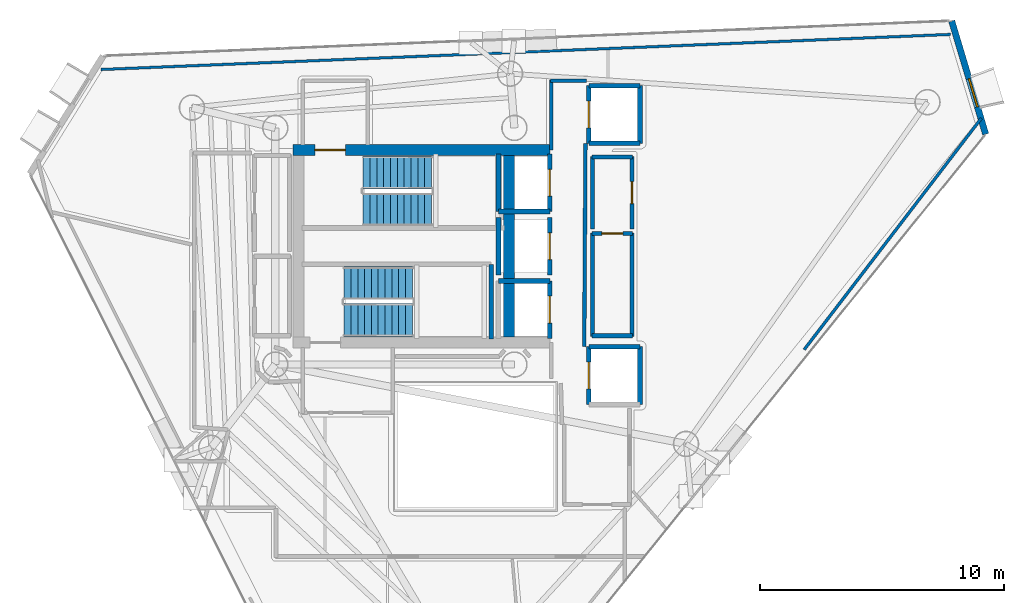
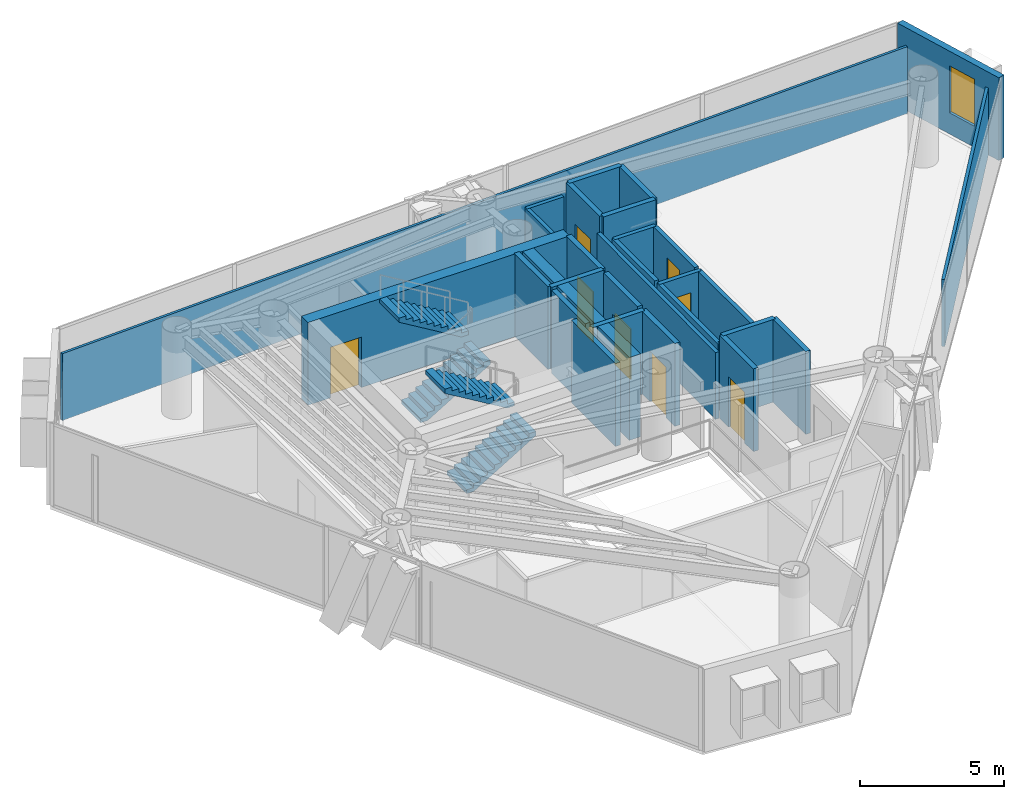
# One storey, part 16 of 19: 30 walls, 8 doors, 4 stair flights, 1 window, 9 openings, 2 elements without a shape of their own.
"""IFC4 building model written with IfcOpenShell, lengths in metres."""

from ifc_helpers import new_model, si_unit, direction, frame, frame_2d, origin, place, context, subcontext, project, spatial, polyline, rectangle, outline, extrude, material, layer, layer_set, type_object, element, fill, aggregate, save


model = new_model("IFC4")

# Units and contexts
model_context = context("Model", 3, precision=1e-05, world=origin(), true_north=direction((0.0, 1.0)))
body_context = subcontext(model_context, "Body", "Model", "MODEL_VIEW")
ifc_project = project(units=[si_unit("LENGTHUNIT", "METRE"), si_unit("AREAUNIT", "SQUARE_METRE"), si_unit("VOLUMEUNIT", "CUBIC_METRE"), si_unit("PLANEANGLEUNIT", "RADIAN"), si_unit("MASSUNIT", "GRAM", prefix="KILO")], contexts=[model_context])

# Site, building, storey
site_placement = place(None, origin())
site = spatial("IfcSite", under=ifc_project, at=site_placement, CompositionType="ELEMENT")
building_placement = place(site_placement, origin())
building = spatial("IfcBuilding", under=site, at=building_placement, Name="Qianvela Tower", CompositionType="ELEMENT")
storey_placement = place(building_placement, frame((0.0, 0.0, 261.199951171875)))
storey = spatial("IfcBuildingStorey", under=building, at=storey_placement, Name="L67", CompositionType="ELEMENT", Elevation=261.199951171875)

# Wall, opening, window
ifc_material_1 = material(Name="Terracotta Cladding on Concrete C40", Category="masonry")
ifc_layer_1 = layer(ifc_material_1, 0.260009765625)
ifc_layer_set_1 = layer_set([ifc_layer_1], Name="Terracotta Cladding on Concrete C40")
wall_type_1 = type_object("IfcWallType", Name="TERRACOTTA-WALL-260", PredefinedType="SOLIDWALL", material=ifc_layer_set_1)
wall_1_placement = place(storey_placement, frame((57.71826171875, 33.290771484375, 0.0), z_axis=(0.0, 0.0, 1.0), x_axis=(-0.287278600285, 0.957847068074, 0.0)))
wall_1 = element("IfcWall", 1, at=wall_1_placement, inside=storey, type_object=wall_type_1, Name="L67 Terracotta Chamfer Facet Wall 1", PredefinedType="SOLIDWALL", context=body_context, shape_type="SweptSolid", body=[
    extrude(rectangle(XDim=4.84912109375, YDim=0.260009765625, at=frame_2d((2.424560546875, 0.0))), origin(), (0.0, 0.0, 1.0), 3.52001953125),
])
opening_1_placement = place(wall_1_placement, frame((1.1748046875, 0.0, 0.89990234375)))
opening_1 = element("IfcOpeningElement", 2, at=opening_1_placement, cuts=wall_1, Name="Opening W-03", PredefinedType="OPENING", context=body_context, shape_type="SweptSolid", body=[
    extrude(rectangle(XDim=1.199951171875, YDim=2.0, at=frame_2d((0.60009765625, 1.0))), frame((0.0, 0.139892578125, 0.0), z_axis=(0.0, -1.0, 0.0), x_axis=(1.0, 0.0, 0.0)), (0.0, 0.0, 1.0), 0.280029296875),
])
ifc_material_2 = material(Name="Thermally Broken Aluminium and Low-E Glass", Category="aluminium")
window_type = type_object("IfcWindowType", Name="WIN-TC-1200x2000", PartitioningType="SINGLE_PANEL", PredefinedType="WINDOW", material=ifc_material_2)
window_placement = place(opening_1_placement, origin())
window = element("IfcWindow", 3, at=window_placement, inside=storey, type_object=window_type, Name="L67 Chamfer Facet Window 1.1", OverallHeight=2.0, OverallWidth=1.199951171875, PartitioningType="SINGLE_PANEL", PredefinedType="WINDOW", context=body_context, shape_type="SweptSolid", body=[
    extrude(rectangle(XDim=1.199951171875, YDim=2.0, at=frame_2d((0.60009765625, 1.0))), frame((0.0, 0.030029296875, 0.0), z_axis=(0.0, -1.0, 0.0), x_axis=(1.0, 0.0, 0.0)), (0.0, 0.0, 1.0), 0.06005859375),
])
fill(opening_1, window)

# Wall, opening, door
ifc_material_3 = material(Name="Concrete C50", Category="concrete")
ifc_layer_2 = layer(ifc_material_3, 0.449951171875)
ifc_layer_set_2 = layer_set([ifc_layer_2], Name="Concrete C50")
wall_type_2 = type_object("IfcWallType", Name="WT-CORE-450", PredefinedType="SHEAR", material=ifc_layer_set_2)
wall_2_placement = place(storey_placement, frame((29.330078125, 32.64501953125, 0.0), z_axis=(0.0, 0.0, 1.0), x_axis=(1.0, 0.0, 0.0)))
wall_2 = element("IfcWall", 4, at=wall_2_placement, inside=storey, type_object=wall_type_2, Name="L67 North Core Shear Wall", PredefinedType="SHEAR", context=body_context, shape_type="SweptSolid", body=[
    extrude(rectangle(XDim=10.52001953125, YDim=0.449951171875, at=frame_2d((5.260009765625, 0.0))), origin(), (0.0, 0.0, 1.0), 3.52001953125),
])
opening_2_placement = place(wall_2_placement, frame((0.89501953125, 0.0, 0.0)))
opening_2 = element("IfcOpeningElement", 5, at=opening_2_placement, cuts=wall_2, Name="Opening D-ST1", PredefinedType="OPENING", context=body_context, shape_type="SweptSolid", body=[
    extrude(rectangle(XDim=1.25, YDim=2.14990234375, at=frame_2d((0.625, 1.074951171875))), frame((0.0, 0.23486328125, 0.0), z_axis=(0.0, -1.0, 0.0), x_axis=(1.0, 0.0, 0.0)), (0.0, 0.0, 1.0), 0.469970703125),
])
ifc_material_4 = material(Name="Galvanised Fire Steel Q355B", Category="steel")
door_type_1 = type_object("IfcDoorType", Name="DT-STAIR-FD90", OperationType="NOTDEFINED", PredefinedType="DOOR", material=ifc_material_4)
door_1_placement = place(opening_2_placement, origin())
door_1 = element("IfcDoor", 6, at=door_1_placement, inside=storey, type_object=door_type_1, Name="L67 Stair ST-1 Exit Door", OperationType="SINGLE_SWING_RIGHT", OverallHeight=2.14990234375, OverallWidth=1.25, PredefinedType="DOOR", context=body_context, shape_type="SweptSolid", body=[
    extrude(rectangle(XDim=1.25, YDim=2.14990234375, at=frame_2d((0.625, 1.074951171875))), frame((0.0, 0.02490234375, 0.0), z_axis=(0.0, -1.0, 0.0), x_axis=(1.0, 0.0, 0.0)), (0.0, 0.0, 1.0), 0.050048828125),
])
fill(opening_2, door_1)

# Walls
wall_3_placement = place(storey_placement, frame((38.179931640625, 24.97998046875, 0.0), z_axis=(0.0, 0.0, 1.0), x_axis=(0.0, 1.0, 0.0)))
element("IfcWall", 7, at=wall_3_placement, inside=storey, type_object=wall_type_2, Name="L67 East Spine Core Shear Wall", PredefinedType="SHEAR", context=body_context, shape_type="SweptSolid", body=[
    extrude(rectangle(XDim=7.43994140625, YDim=0.449951171875, at=frame_2d((3.719970703125, 0.0))), origin(), (0.0, 0.0, 1.0), 3.52001953125),
])
ifc_material_5 = material(Name="Fire-Rated Acoustic Gypsum Board")
ifc_layer_3 = layer(ifc_material_5, 0.14990234375)
ifc_layer_set_3 = layer_set([ifc_layer_3], Name="Fire-Rated Acoustic Gypsum Board")
wall_type_3 = type_object("IfcWallType", Name="WT-CORR-150", PredefinedType="PARTITIONING", material=ifc_layer_set_3)
wall_4_placement = place(storey_placement, frame((39.910888671875, 32.639892578125, 0.0), z_axis=(0.0, 0.0, 1.0), x_axis=(0.0, 1.0, 0.0)))
element("IfcWall", 8, at=wall_4_placement, inside=storey, type_object=wall_type_3, Name="L67 Partition 12", PredefinedType="PARTITIONING", context=body_context, shape_type="SweptSolid", body=[
    extrude(rectangle(XDim=2.880126953125, YDim=0.14990234375, at=frame_2d((1.43994140625, 0.0))), origin(), (0.0, 0.0, 1.0), 2.840087890625),
])
wall_5_placement = place(storey_placement, frame((39.8798828125, 35.489013671875, 0.0), z_axis=(0.0, 0.0, 1.0), x_axis=(1.0, 0.0, 0.0)))
element("IfcWall", 9, at=wall_5_placement, inside=storey, type_object=wall_type_3, Name="L67 Partition 13", PredefinedType="PARTITIONING", context=body_context, shape_type="SweptSolid", body=[
    extrude(rectangle(XDim=1.480224609375, YDim=0.14990234375, at=frame_2d((0.740234375, 0.0))), origin(), (0.0, 0.0, 1.0), 2.840087890625),
])
wall_6_placement = place(storey_placement, frame((41.3134765625, 32.919921875, 0.0), z_axis=(0.0, 0.0, 1.0), x_axis=(-0.005942518022, -0.999982343084, 0.0)))
element("IfcWall", 10, at=wall_6_placement, inside=storey, type_object=wall_type_3, Name="L67 Partition 14 seg 2", PredefinedType="PARTITIONING", context=body_context, shape_type="SweptSolid", body=[
    extrude(rectangle(XDim=8.340087890625, YDim=0.14990234375, at=frame_2d((4.169921875, 0.0))), origin(), (0.0, 0.0, 1.0), 2.840087890625),
])
ifc_material_6 = material(Name="Lightweight Gypsum Room Partition")
ifc_layer_4 = layer(ifc_material_6, 0.10498046875)
ifc_layer_set_4 = layer_set([ifc_layer_4], Name="Lightweight Gypsum Room Partition")
wall_type_4 = type_object("IfcWallType", Name="WT-PART-105", PredefinedType="PARTITIONING", material=ifc_layer_set_4)
wall_7_placement = place(storey_placement, frame((21.449951171875, 35.9423828125, 0.0), z_axis=(0.0, 0.0, 1.0), x_axis=(0.999146821051, 0.041299273399, 0.0)))
element("IfcWall", 11, at=wall_7_placement, inside=storey, type_object=wall_type_4, Name="L67 Partition 102", PredefinedType="PARTITIONING", context=body_context, shape_type="SweptSolid", body=[
    extrude(rectangle(XDim=34.854248046875, YDim=0.10498046875, at=frame_2d((17.42724609375, 0.0))), origin(), (0.0, 0.0, 1.0), 2.840087890625),
])
ifc_material_7 = material(Name="Insulated Gypsum Stud Partition")
ifc_layer_5 = layer(ifc_material_7, 0.1201171875)
ifc_layer_set_5 = layer_set([ifc_layer_5], Name="Insulated Gypsum Stud Partition")
wall_type_5 = type_object("IfcWallType", Name="WT-PART-120", PredefinedType="PARTITIONING", material=ifc_layer_set_5)
wall_8_placement = place(storey_placement, frame((57.5390625, 33.94580078125, 0.0), z_axis=(0.0, 0.0, 1.0), x_axis=(-0.607855135089, -0.794047942347, 0.0)))
element("IfcWall", 12, at=wall_8_placement, inside=storey, type_object=wall_type_5, Name="L67 Partition 104 seg 1", PredefinedType="PARTITIONING", context=body_context, shape_type="SweptSolid", body=[
    extrude(rectangle(XDim=11.9453125, YDim=0.1201171875, at=frame_2d((5.97265625, 0.0))), origin(), (0.0, 0.0, 1.0), 2.840087890625),
])
ifc_material_8 = material(Name="Sanitary Service Chase Partition")
ifc_layer_6 = layer(ifc_material_8, 0.1650390625)
ifc_layer_set_6 = layer_set([ifc_layer_6], Name="Sanitary Service Chase Partition")
wall_type_6 = type_object("IfcWallType", Name="WT-PLUMB-165", PredefinedType="PLUMBINGWALL", material=ifc_layer_set_6)
wall_9_placement = place(storey_placement, frame((43.25, 25.031005859375, 0.0), z_axis=(0.0, 0.0, 1.0), x_axis=(-1.0, 0.0, 0.0)))
element("IfcWall", 13, at=wall_9_placement, inside=storey, type_object=wall_type_6, Name="L67 Partition 19", PredefinedType="PLUMBINGWALL", context=body_context, shape_type="SweptSolid", body=[
    extrude(rectangle(XDim=1.669921875, YDim=0.1650390625, at=frame_2d((0.8349609375, 0.0))), origin(), (0.0, 0.0, 1.0), 2.840087890625),
])
wall_10_placement = place(storey_placement, frame((41.611083984375, 25.0, 0.0), z_axis=(0.0, 0.0, 1.0), x_axis=(0.0, 1.0, 0.0)))
element("IfcWall", 14, at=wall_10_placement, inside=storey, type_object=wall_type_6, Name="L67 Partition 20", PredefinedType="PLUMBINGWALL", context=body_context, shape_type="SweptSolid", body=[
    extrude(rectangle(XDim=4.25, YDim=0.1650390625, at=frame_2d((2.125, 0.0))), origin(), (0.0, 0.0, 1.0), 2.840087890625),
])

# Wall, opening, door
wall_11_placement = place(storey_placement, frame((41.580078125, 29.218994140625, 0.0), z_axis=(0.0, 0.0, 1.0), x_axis=(1.0, 0.0, 0.0)))
wall_11 = element("IfcWall", 15, at=wall_11_placement, inside=storey, type_object=wall_type_6, Name="L67 Partition 21", PredefinedType="PLUMBINGWALL", context=body_context, shape_type="SweptSolid", body=[
    extrude(rectangle(XDim=1.669921875, YDim=0.1650390625, at=frame_2d((0.8349609375, 0.0))), origin(), (0.0, 0.0, 1.0), 2.840087890625),
])
opening_3_placement = place(wall_11_placement, frame((0.405029296875, 0.0, 0.0)))
opening_3 = element("IfcOpeningElement", 16, at=opening_3_placement, cuts=wall_11, Name="Opening D-WC1", PredefinedType="OPENING", context=body_context, shape_type="SweptSolid", body=[
    extrude(rectangle(XDim=0.860107421875, YDim=2.050048828125, at=frame_2d((0.43017578125, 1.02490234375))), frame((0.0, 0.092529296875, 0.0), z_axis=(0.0, -1.0, 0.0), x_axis=(1.0, 0.0, 0.0)), (0.0, 0.0, 1.0), 0.18505859375),
])
ifc_material_9 = material(Name="Moisture-Sealed Acoustic Timber Door", Category="wood")
door_type_2 = type_object("IfcDoorType", Name="DT-WC-860", OperationType="NOTDEFINED", PredefinedType="DOOR", material=ifc_material_9)
door_2_placement = place(opening_3_placement, origin())
door_2 = element("IfcDoor", 17, at=door_2_placement, inside=storey, type_object=door_type_2, Name="L67 Door L67 Accessible WC to L67 Shared Tea Pantry East", OperationType="SINGLE_SWING_LEFT", OverallHeight=2.050048828125, OverallWidth=0.860107421875, PredefinedType="DOOR", context=body_context, shape_type="SweptSolid", body=[
    extrude(rectangle(XDim=0.860107421875, YDim=2.050048828125, at=frame_2d((0.43017578125, 1.02490234375))), frame((0.0, 0.02490234375, 0.0), z_axis=(0.0, -1.0, 0.0), x_axis=(1.0, 0.0, 0.0)), (0.0, 0.0, 1.0), 0.050048828125),
])
fill(opening_3, door_2)

# Walls
wall_12_placement = place(storey_placement, frame((43.218994140625, 29.25, 0.0), z_axis=(0.0, 0.0, 1.0), x_axis=(0.0, -1.0, 0.0)))
element("IfcWall", 18, at=wall_12_placement, inside=storey, type_object=wall_type_6, Name="L67 Partition 22", PredefinedType="PLUMBINGWALL", context=body_context, shape_type="SweptSolid", body=[
    extrude(rectangle(XDim=4.25, YDim=0.1650390625, at=frame_2d((2.125, 0.0))), origin(), (0.0, 0.0, 1.0), 2.840087890625),
])
wall_13_placement = place(storey_placement, frame((41.611083984375, 29.409912109375, 0.0), z_axis=(0.0, 0.0, 1.0), x_axis=(0.0, 1.0, 0.0)))
element("IfcWall", 19, at=wall_13_placement, inside=storey, type_object=wall_type_6, Name="L67 Partition 24", PredefinedType="PLUMBINGWALL", context=body_context, shape_type="SweptSolid", body=[
    extrude(rectangle(XDim=2.969970703125, YDim=0.1650390625, at=frame_2d((1.48486328125, 0.0))), origin(), (0.0, 0.0, 1.0), 2.840087890625),
])
wall_14_placement = place(storey_placement, frame((41.580078125, 32.34912109375, 0.0), z_axis=(0.0, 0.0, 1.0), x_axis=(1.0, 0.0, 0.0)))
element("IfcWall", 20, at=wall_14_placement, inside=storey, type_object=wall_type_6, Name="L67 Partition 25", PredefinedType="PLUMBINGWALL", context=body_context, shape_type="SweptSolid", body=[
    extrude(rectangle(XDim=1.669921875, YDim=0.1650390625, at=frame_2d((0.8349609375, 0.0))), origin(), (0.0, 0.0, 1.0), 2.840087890625),
])

# Wall, opening, door
wall_15_placement = place(storey_placement, frame((43.218994140625, 32.3798828125, 0.0), z_axis=(0.0, 0.0, 1.0), x_axis=(0.0, -1.0, 0.0)))
wall_15 = element("IfcWall", 21, at=wall_15_placement, inside=storey, type_object=wall_type_6, Name="L67 Partition 26", PredefinedType="PLUMBINGWALL", context=body_context, shape_type="SweptSolid", body=[
    extrude(rectangle(XDim=2.969970703125, YDim=0.1650390625, at=frame_2d((1.48486328125, 0.0))), origin(), (0.0, 0.0, 1.0), 2.840087890625),
])
opening_4_placement = place(wall_15_placement, frame((1.034912109375, 0.0, 0.0)))
opening_4 = element("IfcOpeningElement", 22, at=opening_4_placement, cuts=wall_15, Name="Opening D-KT1", PredefinedType="OPENING", context=body_context, shape_type="SweptSolid", body=[
    extrude(rectangle(XDim=0.89990234375, YDim=2.10009765625, at=frame_2d((0.449951171875, 1.050048828125))), frame((0.0, 0.092529296875, 0.0), z_axis=(0.0, -1.0, 0.0), x_axis=(1.0, 0.0, 0.0)), (0.0, 0.0, 1.0), 0.18505859375),
])
ifc_material_10 = material(Name="Glazed Timber Kitchen Door", Category="wood")
door_type_3 = type_object("IfcDoorType", Name="DT-KITCH-900", OperationType="NOTDEFINED", PredefinedType="DOOR", material=ifc_material_10)
door_3_placement = place(opening_4_placement, origin())
door_3 = element("IfcDoor", 23, at=door_3_placement, inside=storey, type_object=door_type_3, Name="L67 Door L67 Shared Tea Pantry East to Stationery Supply Boutique L67-04", OperationType="SINGLE_SWING_RIGHT", OverallHeight=2.10009765625, OverallWidth=0.89990234375, PredefinedType="DOOR", context=body_context, shape_type="SweptSolid", body=[
    extrude(rectangle(XDim=0.89990234375, YDim=2.10009765625, at=frame_2d((0.449951171875, 1.050048828125))), frame((0.0, 0.02490234375, 0.0), z_axis=(0.0, -1.0, 0.0), x_axis=(1.0, 0.0, 0.0)), (0.0, 0.0, 1.0), 0.050048828125),
])
fill(opening_4, door_3)

# Wall
ifc_material_11 = material(Name="Concrete C50", Category="concrete")
ifc_layer_7 = layer(ifc_material_11, 0.199951171875)
ifc_layer_set_7 = layer_set([ifc_layer_7], Name="Concrete C50")
wall_type_7 = type_object("IfcWallType", Name="WT-SHAFT-200", PredefinedType="SOLIDWALL", material=ifc_layer_set_7)
wall_16_placement = place(storey_placement, frame((37.449951171875, 24.89990234375, 0.0), z_axis=(0.0, 0.0, 1.0), x_axis=(0.0, 1.0, 0.0)))
element("IfcWall", 24, at=wall_16_placement, inside=storey, type_object=wall_type_7, Name="L67 Stair ST-2 East Wall", PredefinedType="SOLIDWALL", context=body_context, shape_type="SweptSolid", body=[
    extrude(rectangle(XDim=3.06005859375, YDim=0.199951171875, at=frame_2d((1.530029296875, 0.0))), origin(), (0.0, 0.0, 1.0), 3.52001953125),
])

# Wall, opening, door
wall_17_placement = place(storey_placement, frame((39.85009765625, 30.1201171875, 0.0), z_axis=(0.0, 0.0, 1.0), x_axis=(0.0, 1.0, 0.0)))
wall_17 = element("IfcWall", 25, at=wall_17_placement, inside=storey, type_object=wall_type_7, Name="L67 Lift FL-1 E Shaft Wall", PredefinedType="SOLIDWALL", context=body_context, shape_type="SweptSolid", body=[
    extrude(rectangle(XDim=2.35986328125, YDim=0.199951171875, at=frame_2d((1.179931640625, 0.0))), origin(), (0.0, 0.0, 1.0), 3.52001953125),
])
opening_5_placement = place(wall_17_placement, frame((0.6298828125, 0.0, 0.0)))
opening_5 = element("IfcOpeningElement", 26, at=opening_5_placement, cuts=wall_17, Name="Opening LD-01", PredefinedType="OPENING", context=body_context, shape_type="SweptSolid", body=[
    extrude(rectangle(XDim=1.10009765625, YDim=2.14990234375, at=frame_2d((0.550048828125, 1.074951171875))), frame((0.0, 0.10986328125, 0.0), z_axis=(0.0, -1.0, 0.0), x_axis=(1.0, 0.0, 0.0)), (0.0, 0.0, 1.0), 0.219970703125),
])
ifc_material_12 = material(Name="Brushed Stainless Steel Lift Landing Door", Category="steel")
door_type_4 = type_object("IfcDoorType", Name="DT-LIFT-SLIDE-1100", OperationType="SLIDING_TO_LEFT", PredefinedType="DOOR", material=ifc_material_12)
door_4_placement = place(opening_5_placement, origin())
door_4 = element("IfcDoor", 27, at=door_4_placement, inside=storey, type_object=door_type_4, Name="L67 Lift FL-1 Sliding Landing Door", OperationType="SLIDING_TO_LEFT", OverallHeight=2.14990234375, OverallWidth=1.10009765625, PredefinedType="DOOR", context=body_context, shape_type="SweptSolid", body=[
    extrude(rectangle(XDim=1.10009765625, YDim=2.14990234375, at=frame_2d((0.550048828125, 1.074951171875))), frame((0.0, 0.02490234375, 0.0), z_axis=(0.0, -1.0, 0.0), x_axis=(1.0, 0.0, 0.0)), (0.0, 0.0, 1.0), 0.050048828125),
])
fill(opening_5, door_4)

# Walls
wall_18_placement = place(storey_placement, frame((37.75, 30.1201171875, 0.0), z_axis=(0.0, 0.0, 1.0), x_axis=(0.0, 1.0, 0.0)))
element("IfcWall", 28, at=wall_18_placement, inside=storey, type_object=wall_type_7, Name="L67 Lift FL-1 W Shaft Wall", PredefinedType="SOLIDWALL", context=body_context, shape_type="SweptSolid", body=[
    extrude(rectangle(XDim=2.35986328125, YDim=0.199951171875, at=frame_2d((1.179931640625, 0.0))), origin(), (0.0, 0.0, 1.0), 3.52001953125),
])
wall_19_placement = place(storey_placement, frame((37.75, 30.1201171875, 0.0), z_axis=(0.0, 0.0, 1.0), x_axis=(1.0, 0.0, 0.0)))
element("IfcWall", 29, at=wall_19_placement, inside=storey, type_object=wall_type_7, Name="L67 Lift FL-1 S Shaft Wall", PredefinedType="SOLIDWALL", context=body_context, shape_type="SweptSolid", body=[
    extrude(rectangle(XDim=2.10009765625, YDim=0.199951171875, at=frame_2d((1.050048828125, 0.0))), origin(), (0.0, 0.0, 1.0), 3.52001953125),
])

# Wall, opening, door
wall_20_placement = place(storey_placement, frame((39.85009765625, 24.919921875, 0.0), z_axis=(0.0, 0.0, 1.0), x_axis=(0.0, 1.0, 0.0)))
wall_20 = element("IfcWall", 30, at=wall_20_placement, inside=storey, type_object=wall_type_7, Name="L67 Lift FL-2 E Shaft Wall", PredefinedType="SOLIDWALL", context=body_context, shape_type="SweptSolid", body=[
    extrude(rectangle(XDim=2.360107421875, YDim=0.199951171875, at=frame_2d((1.18017578125, 0.0))), origin(), (0.0, 0.0, 1.0), 3.52001953125),
])
opening_6_placement = place(wall_20_placement, frame((0.6298828125, 0.0, 0.0)))
opening_6 = element("IfcOpeningElement", 31, at=opening_6_placement, cuts=wall_20, Name="Opening LD-01", PredefinedType="OPENING", context=body_context, shape_type="SweptSolid", body=[
    extrude(rectangle(XDim=1.10009765625, YDim=2.14990234375, at=frame_2d((0.550048828125, 1.074951171875))), frame((0.0, 0.10986328125, 0.0), z_axis=(0.0, -1.0, 0.0), x_axis=(1.0, 0.0, 0.0)), (0.0, 0.0, 1.0), 0.219970703125),
])
door_5_placement = place(opening_6_placement, origin())
door_5 = element("IfcDoor", 32, at=door_5_placement, inside=storey, type_object=door_type_4, Name="L67 Lift FL-2 Sliding Landing Door", OperationType="SLIDING_TO_LEFT", OverallHeight=2.14990234375, OverallWidth=1.10009765625, PredefinedType="DOOR", context=body_context, shape_type="SweptSolid", body=[
    extrude(rectangle(XDim=1.10009765625, YDim=2.14990234375, at=frame_2d((0.550048828125, 1.074951171875))), frame((0.0, 0.02490234375, 0.0), z_axis=(0.0, -1.0, 0.0), x_axis=(1.0, 0.0, 0.0)), (0.0, 0.0, 1.0), 0.050048828125),
])
fill(opening_6, door_5)

# Wall
wall_21_placement = place(storey_placement, frame((37.75, 27.280029296875, 0.0), z_axis=(0.0, 0.0, 1.0), x_axis=(1.0, 0.0, 0.0)))
element("IfcWall", 33, at=wall_21_placement, inside=storey, type_object=wall_type_7, Name="L67 Lift FL-2 N Shaft Wall", PredefinedType="SOLIDWALL", context=body_context, shape_type="SweptSolid", body=[
    extrude(rectangle(XDim=2.10009765625, YDim=0.199951171875, at=frame_2d((1.050048828125, 0.0))), origin(), (0.0, 0.0, 1.0), 3.52001953125),
])

# Wall, opening, door
wall_22_placement = place(storey_placement, frame((39.85009765625, 27.52001953125, 0.0), z_axis=(0.0, 0.0, 1.0), x_axis=(0.0, 1.0, 0.0)))
wall_22 = element("IfcWall", 34, at=wall_22_placement, inside=storey, type_object=wall_type_7, Name="L67 Lift PL-H1 E Shaft Wall", PredefinedType="SOLIDWALL", context=body_context, shape_type="SweptSolid", body=[
    extrude(rectangle(XDim=2.35986328125, YDim=0.199951171875, at=frame_2d((1.179931640625, 0.0))), origin(), (0.0, 0.0, 1.0), 3.52001953125),
])
opening_7_placement = place(wall_22_placement, frame((0.6298828125, 0.0, 0.0)))
opening_7 = element("IfcOpeningElement", 35, at=opening_7_placement, cuts=wall_22, Name="Opening LD-01", PredefinedType="OPENING", context=body_context, shape_type="SweptSolid", body=[
    extrude(rectangle(XDim=1.10009765625, YDim=2.14990234375, at=frame_2d((0.550048828125, 1.074951171875))), frame((0.0, 0.10986328125, 0.0), z_axis=(0.0, -1.0, 0.0), x_axis=(1.0, 0.0, 0.0)), (0.0, 0.0, 1.0), 0.219970703125),
])
door_6_placement = place(opening_7_placement, origin())
door_6 = element("IfcDoor", 36, at=door_6_placement, inside=storey, type_object=door_type_4, Name="L67 Lift PL-H1 Sliding Landing Door", OperationType="SLIDING_TO_LEFT", OverallHeight=2.14990234375, OverallWidth=1.10009765625, PredefinedType="DOOR", context=body_context, shape_type="SweptSolid", body=[
    extrude(rectangle(XDim=1.10009765625, YDim=2.14990234375, at=frame_2d((0.550048828125, 1.074951171875))), frame((0.0, 0.02490234375, 0.0), z_axis=(0.0, -1.0, 0.0), x_axis=(1.0, 0.0, 0.0)), (0.0, 0.0, 1.0), 0.050048828125),
])
fill(opening_7, door_6)

# Walls
wall_23_placement = place(storey_placement, frame((37.75, 27.52001953125, 0.0), z_axis=(0.0, 0.0, 1.0), x_axis=(0.0, 1.0, 0.0)))
element("IfcWall", 37, at=wall_23_placement, inside=storey, type_object=wall_type_7, Name="L67 Lift PL-H1 W Shaft Wall", PredefinedType="SOLIDWALL", context=body_context, shape_type="SweptSolid", body=[
    extrude(rectangle(XDim=2.35986328125, YDim=0.199951171875, at=frame_2d((1.179931640625, 0.0))), origin(), (0.0, 0.0, 1.0), 3.52001953125),
])
wall_24_placement = place(storey_placement, frame((43.550048828125, 22.219970703125, 0.0), z_axis=(0.0, 0.0, 1.0), x_axis=(0.0, 1.0, 0.0)))
element("IfcWall", 38, at=wall_24_placement, inside=storey, type_object=wall_type_7, Name="L67 Lift PL-H2 E Shaft Wall", PredefinedType="SOLIDWALL", context=body_context, shape_type="SweptSolid", body=[
    extrude(rectangle(XDim=2.360107421875, YDim=0.199951171875, at=frame_2d((1.18017578125, 0.0))), origin(), (0.0, 0.0, 1.0), 3.52001953125),
])

# Wall, opening, door
wall_25_placement = place(storey_placement, frame((41.449951171875, 22.219970703125, 0.0), z_axis=(0.0, 0.0, 1.0), x_axis=(0.0, 1.0, 0.0)))
wall_25 = element("IfcWall", 39, at=wall_25_placement, inside=storey, type_object=wall_type_7, Name="L67 Lift PL-H2 W Shaft Wall", PredefinedType="SOLIDWALL", context=body_context, shape_type="SweptSolid", body=[
    extrude(rectangle(XDim=2.360107421875, YDim=0.199951171875, at=frame_2d((1.18017578125, 0.0))), origin(), (0.0, 0.0, 1.0), 3.52001953125),
])
opening_8_placement = place(wall_25_placement, frame((0.6298828125, 0.0, 0.0)))
opening_8 = element("IfcOpeningElement", 40, at=opening_8_placement, cuts=wall_25, Name="Opening LD-01", PredefinedType="OPENING", context=body_context, shape_type="SweptSolid", body=[
    extrude(rectangle(XDim=1.10009765625, YDim=2.14990234375, at=frame_2d((0.550048828125, 1.074951171875))), frame((0.0, 0.10986328125, 0.0), z_axis=(0.0, -1.0, 0.0), x_axis=(1.0, 0.0, 0.0)), (0.0, 0.0, 1.0), 0.219970703125),
])
door_7_placement = place(opening_8_placement, origin())
door_7 = element("IfcDoor", 41, at=door_7_placement, inside=storey, type_object=door_type_4, Name="L67 Lift PL-H2 Sliding Landing Door", OperationType="SLIDING_TO_LEFT", OverallHeight=2.14990234375, OverallWidth=1.10009765625, PredefinedType="DOOR", context=body_context, shape_type="SweptSolid", body=[
    extrude(rectangle(XDim=1.10009765625, YDim=2.14990234375, at=frame_2d((0.550048828125, 1.074951171875))), frame((0.0, 0.02490234375, 0.0), z_axis=(0.0, -1.0, 0.0), x_axis=(1.0, 0.0, 0.0)), (0.0, 0.0, 1.0), 0.050048828125),
])
fill(opening_8, door_7)

# Walls
wall_26_placement = place(storey_placement, frame((41.449951171875, 24.580078125, 0.0), z_axis=(0.0, 0.0, 1.0), x_axis=(1.0, 0.0, 0.0)))
element("IfcWall", 42, at=wall_26_placement, inside=storey, type_object=wall_type_7, Name="L67 Lift PL-H2 N Shaft Wall", PredefinedType="SOLIDWALL", context=body_context, shape_type="SweptSolid", body=[
    extrude(rectangle(XDim=2.10009765625, YDim=0.199951171875, at=frame_2d((1.050048828125, 0.0))), origin(), (0.0, 0.0, 1.0), 3.52001953125),
])
wall_27_placement = place(storey_placement, frame((43.550048828125, 32.919921875, 0.0), z_axis=(0.0, 0.0, 1.0), x_axis=(0.0, 1.0, 0.0)))
element("IfcWall", 43, at=wall_27_placement, inside=storey, type_object=wall_type_7, Name="L67 Lift PL-H3 E Shaft Wall", PredefinedType="SOLIDWALL", context=body_context, shape_type="SweptSolid", body=[
    extrude(rectangle(XDim=2.360107421875, YDim=0.199951171875, at=frame_2d((1.18017578125, 0.0))), origin(), (0.0, 0.0, 1.0), 3.52001953125),
])

# Wall, opening, door
wall_28_placement = place(storey_placement, frame((41.449951171875, 32.919921875, 0.0), z_axis=(0.0, 0.0, 1.0), x_axis=(0.0, 1.0, 0.0)))
wall_28 = element("IfcWall", 44, at=wall_28_placement, inside=storey, type_object=wall_type_7, Name="L67 Lift PL-H3 W Shaft Wall", PredefinedType="SOLIDWALL", context=body_context, shape_type="SweptSolid", body=[
    extrude(rectangle(XDim=2.360107421875, YDim=0.199951171875, at=frame_2d((1.18017578125, 0.0))), origin(), (0.0, 0.0, 1.0), 3.52001953125),
])
opening_9_placement = place(wall_28_placement, frame((0.6298828125, 0.0, 0.0)))
opening_9 = element("IfcOpeningElement", 45, at=opening_9_placement, cuts=wall_28, Name="Opening LD-01", PredefinedType="OPENING", context=body_context, shape_type="SweptSolid", body=[
    extrude(rectangle(XDim=1.10009765625, YDim=2.14990234375, at=frame_2d((0.550048828125, 1.074951171875))), frame((0.0, 0.10986328125, 0.0), z_axis=(0.0, -1.0, 0.0), x_axis=(1.0, 0.0, 0.0)), (0.0, 0.0, 1.0), 0.219970703125),
])
door_8_placement = place(opening_9_placement, origin())
door_8 = element("IfcDoor", 46, at=door_8_placement, inside=storey, type_object=door_type_4, Name="L67 Lift PL-H3 Sliding Landing Door", OperationType="SLIDING_TO_LEFT", OverallHeight=2.14990234375, OverallWidth=1.10009765625, PredefinedType="DOOR", context=body_context, shape_type="SweptSolid", body=[
    extrude(rectangle(XDim=1.10009765625, YDim=2.14990234375, at=frame_2d((0.550048828125, 1.074951171875))), frame((0.0, 0.02490234375, 0.0), z_axis=(0.0, -1.0, 0.0), x_axis=(1.0, 0.0, 0.0)), (0.0, 0.0, 1.0), 0.050048828125),
])
fill(opening_9, door_8)

# Walls
for number, where, z_axis, x_axis, name in (
    (47, (41.449951171875, 35.280029296875, 0.0), (0.0, 0.0, 1.0), (1.0, 0.0, 0.0), "L67 Lift PL-H3 N Shaft Wall"),
    (48, (41.449951171875, 32.919921875, 0.0), (0.0, 0.0, 1.0), (1.0, 0.0, 0.0), "L67 Lift PL-H3 S Shaft Wall"),
):
    element("IfcWall", number, at=place(storey_placement, frame(where, z_axis=z_axis, x_axis=x_axis)), inside=storey, type_object=wall_type_7, Name=name, PredefinedType="SOLIDWALL", context=body_context, shape_type="SweptSolid", body=[
        extrude(rectangle(XDim=2.10009765625, YDim=0.199951171875, at=frame_2d((1.050048828125, 0.0))), origin(), (0.0, 0.0, 1.0), 3.52001953125),
    ])

# Stair, stair flights
ifc_material_13 = material(Name="Concrete C40", Category="concrete")
stair_type = type_object("IfcStairType", Name="ST-DOGLEG-1350-R168-N22", PredefinedType="HALF_TURN_STAIR", material=ifc_material_13)
stair_1_placement = place(storey_placement, origin())
stair_1 = element("IfcStair", 49, at=stair_1_placement, inside=storey, type_object=stair_type, Name="L67 Smoke-Proof Core Stair ST-1", PredefinedType="HALF_TURN_STAIR")
ifc_material_14 = material(Name="Concrete C40", Category="concrete")
stair_flight_type = type_object("IfcStairFlightType", Name="STF-STRAIGHT-R168-P11", PredefinedType="STRAIGHT", material=ifc_material_14)
stair_flight_1_placement = place(storey_placement, frame((32.199951171875, 30.215087890625, 0.0), z_axis=(0.0, 0.0, 1.0), x_axis=(1.0, 0.0, 0.0)))
stair_flight_1 = element("IfcStairFlight", 50, at=stair_flight_1_placement, type_object=stair_flight_type, Name="ST-1 flight 1", NumberOfRisers=11, NumberOfTreads=10, PredefinedType="STRAIGHT", RiserHeight=0.168181818, TreadLength=0.28, context=body_context, shape_type="SweptSolid", body=[
    extrude(outline(polyline([(0.0, 0.0), (0.0, 0.168212890625), (0.280029296875, 0.168212890625), (0.280029296875, 0.33642578125), (0.56005859375, 0.33642578125), (0.56005859375, 0.504638671875), (0.840087890625, 0.504638671875), (0.840087890625, 0.672607421875), (1.1201171875, 0.672607421875), (1.1201171875, 0.8408203125), (1.39990234375, 0.8408203125), (1.39990234375, 1.009033203125), (1.679931640625, 1.009033203125), (1.679931640625, 1.17724609375), (1.9599609375, 1.17724609375), (1.9599609375, 1.345458984375), (2.239990234375, 1.345458984375), (2.239990234375, 1.513671875), (2.52001953125, 1.513671875), (2.52001953125, 1.681884765625), (2.800048828125, 1.681884765625), (2.800048828125, 1.85009765625), (2.800048828125, 1.5068359375), (0.291015625, 0.0), (0.0, 0.0)])), frame((0.0, 0.675048828125, 0.0), z_axis=(0.0, -1.0, 0.0), x_axis=(1.0, 0.0, 0.0)), (0.0, 0.0, 1.0), 1.35009765625),
])
stair_flight_2_placement = place(storey_placement, frame((35.0, 31.72509765625, 1.85009765625), z_axis=(0.0, 0.0, 1.0), x_axis=(-1.0, 0.0, 0.0)))
stair_flight_2 = element("IfcStairFlight", 51, at=stair_flight_2_placement, type_object=stair_flight_type, Name="ST-1 flight 2", NumberOfRisers=11, NumberOfTreads=10, PredefinedType="STRAIGHT", RiserHeight=0.168181818, TreadLength=0.28, context=body_context, shape_type="SweptSolid", body=[
    extrude(outline(polyline([(0.0, 0.0), (0.0, 0.168212890625), (0.280029296875, 0.168212890625), (0.280029296875, 0.33642578125), (0.56005859375, 0.33642578125), (0.56005859375, 0.504638671875), (0.840087890625, 0.504638671875), (0.840087890625, 0.672607421875), (1.1201171875, 0.672607421875), (1.1201171875, 0.8408203125), (1.39990234375, 0.8408203125), (1.39990234375, 1.009033203125), (1.679931640625, 1.009033203125), (1.679931640625, 1.17724609375), (1.9599609375, 1.17724609375), (1.9599609375, 1.345458984375), (2.239990234375, 1.345458984375), (2.239990234375, 1.513671875), (2.52001953125, 1.513671875), (2.52001953125, 1.681884765625), (2.800048828125, 1.681884765625), (2.800048828125, 1.85009765625), (2.800048828125, 1.5068359375), (0.291015625, 0.0), (0.0, 0.0)])), frame((0.0, 0.675048828125, 0.0), z_axis=(0.0, -1.0, 0.0), x_axis=(1.0, 0.0, 0.0)), (0.0, 0.0, 1.0), 1.35009765625),
])
aggregate(stair_1, [stair_flight_1, stair_flight_2])

stair_2_placement = place(storey_placement, origin())
stair_2 = element("IfcStair", 52, at=stair_2_placement, inside=storey, type_object=stair_type, Name="L67 Smoke-Proof Core Stair ST-2", PredefinedType="HALF_TURN_STAIR")
stair_flight_3_placement = place(storey_placement, frame((31.419921875, 25.675048828125, 0.0), z_axis=(0.0, 0.0, 1.0), x_axis=(1.0, 0.0, 0.0)))
stair_flight_3 = element("IfcStairFlight", 53, at=stair_flight_3_placement, type_object=stair_flight_type, Name="ST-2 flight 1", NumberOfRisers=11, NumberOfTreads=10, PredefinedType="STRAIGHT", RiserHeight=0.168181818, TreadLength=0.28, context=body_context, shape_type="SweptSolid", body=[
    extrude(outline(polyline([(0.0, 0.0), (0.0, 0.168212890625), (0.280029296875, 0.168212890625), (0.280029296875, 0.33642578125), (0.56005859375, 0.33642578125), (0.56005859375, 0.504638671875), (0.840087890625, 0.504638671875), (0.840087890625, 0.672607421875), (1.1201171875, 0.672607421875), (1.1201171875, 0.8408203125), (1.39990234375, 0.8408203125), (1.39990234375, 1.009033203125), (1.679931640625, 1.009033203125), (1.679931640625, 1.17724609375), (1.9599609375, 1.17724609375), (1.9599609375, 1.345458984375), (2.239990234375, 1.345458984375), (2.239990234375, 1.513671875), (2.52001953125, 1.513671875), (2.52001953125, 1.681884765625), (2.800048828125, 1.681884765625), (2.800048828125, 1.85009765625), (2.800048828125, 1.5068359375), (0.291015625, 0.0), (0.0, 0.0)])), frame((0.0, 0.675048828125, 0.0), z_axis=(0.0, -1.0, 0.0), x_axis=(1.0, 0.0, 0.0)), (0.0, 0.0, 1.0), 1.35009765625),
])
stair_flight_4_placement = place(storey_placement, frame((34.219970703125, 27.18505859375, 1.85009765625), z_axis=(0.0, 0.0, 1.0), x_axis=(-1.0, 0.0, 0.0)))
stair_flight_4 = element("IfcStairFlight", 54, at=stair_flight_4_placement, type_object=stair_flight_type, Name="ST-2 flight 2", NumberOfRisers=11, NumberOfTreads=10, PredefinedType="STRAIGHT", RiserHeight=0.168181818, TreadLength=0.28, context=body_context, shape_type="SweptSolid", body=[
    extrude(outline(polyline([(0.0, 0.0), (0.0, 0.168212890625), (0.280029296875, 0.168212890625), (0.280029296875, 0.33642578125), (0.56005859375, 0.33642578125), (0.56005859375, 0.504638671875), (0.840087890625, 0.504638671875), (0.840087890625, 0.672607421875), (1.1201171875, 0.672607421875), (1.1201171875, 0.8408203125), (1.39990234375, 0.8408203125), (1.39990234375, 1.009033203125), (1.679931640625, 1.009033203125), (1.679931640625, 1.17724609375), (1.9599609375, 1.17724609375), (1.9599609375, 1.345458984375), (2.239990234375, 1.345458984375), (2.239990234375, 1.513671875), (2.52001953125, 1.513671875), (2.52001953125, 1.681884765625), (2.800048828125, 1.681884765625), (2.800048828125, 1.85009765625), (2.800048828125, 1.5068359375), (0.291015625, 0.0), (0.0, 0.0)])), frame((0.0, 0.675048828125, 0.0), z_axis=(0.0, -1.0, 0.0), x_axis=(1.0, 0.0, 0.0)), (0.0, 0.0, 1.0), 1.35009765625),
])
aggregate(stair_2, [stair_flight_3, stair_flight_4])

save(model, "model.ifc")
